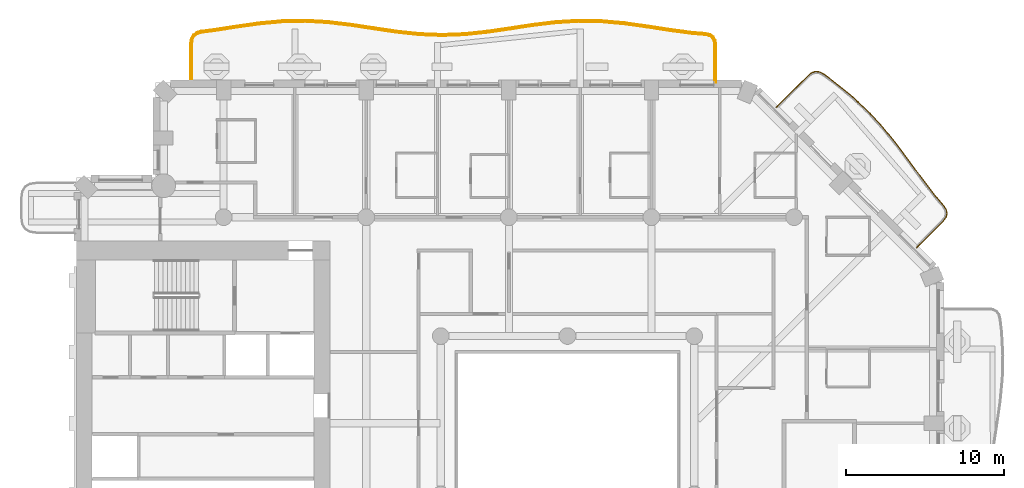
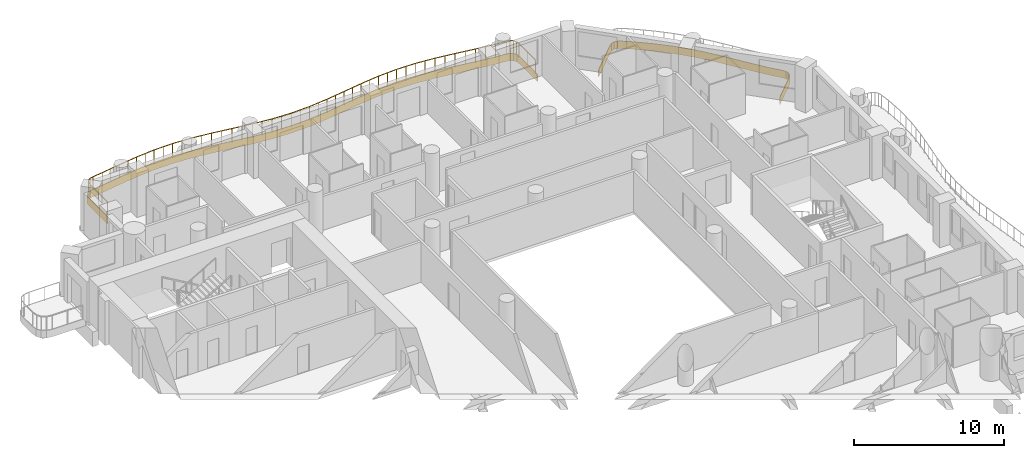
# One storey, part 18 of 20: 2 coverings, 1 railing.
"""IFC4 building model written with IfcOpenShell, lengths in metres."""

from ifc_helpers import new_model, si_unit, direction, frame, origin, origin_2d, place, context, subcontext, project, spatial, polyline, rectangle, outline, extrude, material, layer, layer_set, type_object, element, save


model = new_model("IFC4")

# Units and contexts
model_context = context("Model", 3, precision=1e-05, world=origin(), true_north=direction((0.0, 1.0)))
body_context = subcontext(model_context, "Body", "Model", "MODEL_VIEW")
ifc_project = project(units=[si_unit("LENGTHUNIT", "METRE"), si_unit("AREAUNIT", "SQUARE_METRE"), si_unit("VOLUMEUNIT", "CUBIC_METRE"), si_unit("PLANEANGLEUNIT", "RADIAN"), si_unit("MASSUNIT", "GRAM", prefix="KILO")], contexts=[model_context])

# Site, building, storey
site_placement = place(None, origin())
site = spatial("IfcSite", under=ifc_project, at=site_placement, CompositionType="ELEMENT")
building_placement = place(site_placement, origin())
building = spatial("IfcBuilding", under=site, at=building_placement, Name="Cypress Arch Tower", CompositionType="ELEMENT")
storey_placement = place(building_placement, frame((0.0, 0.0, 109.5)))
storey = spatial("IfcBuildingStorey", under=building, at=storey_placement, Name="L22", CompositionType="ELEMENT", Elevation=109.5)

# Coverings
ifc_material_1 = material(Name="White powder-coated aluminium fascia", Category="aluminium")
ifc_layer = layer(ifc_material_1, 0.050048828125)
ifc_layer_set = layer_set([ifc_layer], Name="Balcony fascia BF50")
covering_type = type_object("IfcCoveringType", Name="Balcony fascia BF50", PredefinedType="CLADDING", material=ifc_layer_set)
covering_1_placement = place(storey_placement, frame((0.0, 0.0, -0.60009765625)))
element("IfcCovering", 1, at=covering_1_placement, inside=storey, type_object=covering_type, Name="Balcony fascia L22-A07", PredefinedType="CLADDING", context=body_context, shape_type="SweptSolid", body=[
    extrude(outline(polyline([(16.182861328125, 26.4716796875), (16.419677734375, 26.650634765625), (16.6728515625, 26.72509765625), (16.93408203125, 26.688232421875), (17.194091796875, 26.54541015625), (17.815673828125, 26.0830078125), (18.901123046875, 25.205078125), (19.92333984375, 24.2626953125), (20.872314453125, 23.247314453125), (21.755126953125, 22.166748046875), (22.594482421875, 21.044677734375), (23.42236328125, 19.91357421875), (24.273681640625, 18.80810546875), (24.773681640625, 18.22705078125), (24.931396484375, 17.98095703125), (24.97998046875, 17.729248046875), (24.91259765625, 17.481689453125), (24.73681640625, 17.248046875), (23.045166015625, 15.556396484375), (23.009765625, 15.591796875), (24.698974609375, 17.281005859375), (24.866943359375, 17.504150390625), (24.9287109375, 17.731201171875), (24.884033203125, 17.962158203125), (24.7333984375, 18.197265625), (24.23486328125, 18.7763671875), (23.38232421875, 19.883544921875), (22.55419921875, 21.014892578125), (21.7158203125, 22.135986328125), (20.83447265625, 23.21435546875), (19.887939453125, 24.227294921875), (18.868408203125, 25.167236328125), (17.784912109375, 26.04345703125), (17.1669921875, 26.503173828125), (16.91796875, 26.64013671875), (16.676513671875, 26.674072265625), (16.4423828125, 26.605224609375), (16.2158203125, 26.433837890625), (14.191650390625, 24.40966796875), (14.15625, 24.445068359375), (16.182861328125, 26.4716796875)])), origin(), (0.0, 0.0, 1.0), 0.60009765625),
])
covering_2_placement = place(storey_placement, frame((0.0, 0.0, -0.60009765625)))
element("IfcCovering", 2, at=covering_2_placement, inside=storey, type_object=covering_type, Name="Balcony fascia L22-A08", PredefinedType="CLADDING", context=body_context, shape_type="SweptSolid", body=[
    extrude(outline(polyline([(-22.800048828125, 28.47119140625), (-22.7578125, 28.77490234375), (-22.62646484375, 29.012451171875), (-22.407958984375, 29.173583984375), (-22.1123046875, 29.2548828125), (-21.31787109375, 29.35888671875), (-19.879150390625, 29.58203125), (-18.4384765625, 29.784912109375), (-16.996337890625, 29.91748046875), (-15.553466796875, 29.94677734375), (-14.11083984375, 29.865234375), (-12.66943359375, 29.693359375), (-11.2294921875, 29.473876953125), (-9.79150390625, 29.2607421875), (-8.35498046875, 29.10693359375), (-6.91943359375, 29.050048828125), (-5.48388671875, 29.10400390625), (-4.047607421875, 29.255615234375), (-2.609619140625, 29.4677734375), (-1.169921875, 29.687744140625), (0.271728515625, 29.861572265625), (1.714111328125, 29.946044921875), (3.156982421875, 29.919921875), (4.59912109375, 29.789794921875), (6.039794921875, 29.587890625), (7.478759765625, 29.36474609375), (8.916015625, 29.1748046875), (9.709716796875, 29.1142578125), (10.005859375, 29.04931640625), (10.225830078125, 28.900146484375), (10.357666015625, 28.669677734375), (10.39990234375, 28.369384765625), (10.39990234375, 26.0009765625), (10.35009765625, 26.0009765625), (10.35009765625, 28.36572265625), (10.3095703125, 28.653076171875), (10.18798828125, 28.865234375), (9.98583984375, 29.00244140625), (9.702392578125, 29.064697265625), (8.910888671875, 29.125), (7.4716796875, 29.315185546875), (6.03271484375, 29.53857421875), (4.593505859375, 29.739990234375), (3.154296875, 29.869873046875), (1.71533203125, 29.89599609375), (0.276123046875, 29.811767578125), (-1.1630859375, 29.638427734375), (-2.602294921875, 29.418212890625), (-4.041259765625, 29.2060546875), (-5.48046875, 29.05419921875), (-6.919677734375, 29.0), (-8.358642578125, 29.05712890625), (-9.7978515625, 29.211181640625), (-11.237060546875, 29.42431640625), (-12.676025390625, 29.643798828125), (-14.115234375, 29.8154296875), (-15.554443359375, 29.896728515625), (-16.993408203125, 29.86767578125), (-18.4326171875, 29.7353515625), (-19.871826171875, 29.532470703125), (-21.310791015625, 29.309326171875), (-22.102294921875, 29.20556640625), (-22.3857421875, 29.127685546875), (-22.588134765625, 28.978759765625), (-22.70947265625, 28.7587890625), (-22.75, 28.4677734375), (-22.75, 26.0009765625), (-22.800048828125, 26.0009765625), (-22.800048828125, 28.47119140625)])), origin(), (0.0, 0.0, 1.0), 0.60009765625),
])

# Railing
ifc_material_2 = material(Name="Powder-coated steel posts and rods, 100 mm clear between rods", Category="steel")
railing_type = type_object("IfcRailingType", Name="Balcony guard GR1100", PredefinedType="GUARDRAIL", material=ifc_material_2)
railing_placement = place(storey_placement, frame((-22.699951171875, 26.14990234375, 0.0)))
element("IfcRailing", 3, at=railing_placement, inside=storey, type_object=railing_type, Name="Balcony guard L22-A08", PredefinedType="GUARDRAIL", context=body_context, shape_type="SweptSolid", body=[
    extrude(rectangle(XDim=0.050048828125, YDim=0.050048828125, at=origin_2d()), frame((0.0, 0.0, 1.0751953125), z_axis=(0.0, 1.0, 0.0), x_axis=(-1.0, 0.0, 0.0)), (0.0, 0.0, 1.0), 2.314453125),
    extrude(rectangle(XDim=0.050048828125, YDim=0.050048828125, at=origin_2d()), frame((0.0, 2.314453125, 1.0751953125), z_axis=(0.137284217711, 0.990531697407, 0.0), x_axis=(-0.990531697407, 0.137284217711, 0.0)), (0.0, 0.0, 1.0), 0.281005859375),
    extrude(rectangle(XDim=0.050048828125, YDim=0.050048828125, at=origin_2d()), frame((0.03857421875, 2.5927734375, 1.0751953125), z_axis=(0.483579682831, 0.875300342941, 0.0), x_axis=(-0.875300342941, 0.483579682831, 0.0)), (0.0, 0.0, 1.0), 0.231201171875),
    extrude(rectangle(XDim=0.050048828125, YDim=0.050048828125, at=origin_2d()), frame((0.150390625, 2.795166015625, 1.0751953125), z_axis=(0.805294836588, 0.592874545047, 0.0), x_axis=(-0.592874545047, 0.805294836588, 0.0)), (0.0, 0.0, 1.0), 0.23095703125),
    extrude(rectangle(XDim=0.050048828125, YDim=0.050048828125, at=origin_2d()), frame((0.33642578125, 2.93212890625, 1.0751953125), z_axis=(0.964260896002, 0.264954570523, 0.0), x_axis=(-0.264954570523, 0.964260896002, 0.0)), (0.0, 0.0, 1.0), 0.281005859375),
    extrude(rectangle(XDim=0.050048828125, YDim=0.050048828125, at=origin_2d()), frame((0.607421875, 3.006591796875, 1.0751953125), z_axis=(0.991538693958, 0.129811472468, 0.0), x_axis=(-0.129811472468, 0.991538693958, 0.0)), (0.0, 0.0, 1.0), 0.795654296875),
    extrude(rectangle(XDim=0.050048828125, YDim=0.050048828125, at=origin_2d()), frame((1.396240234375, 3.10986328125, 1.0751953125), z_axis=(0.988167333574, 0.153379662463, 0.0), x_axis=(-0.153379662463, 0.988167333574, 0.0)), (0.0, 0.0, 1.0), 1.45654296875),
    extrude(rectangle(XDim=0.050048828125, YDim=0.050048828125, at=origin_2d()), frame((2.83544921875, 3.333251953125, 1.0751953125), z_axis=(0.990236641872, 0.139396531858, 0.0), x_axis=(-0.139396531858, 0.990236641872, 0.0)), (0.0, 0.0, 1.0), 1.451904296875),
    extrude(rectangle(XDim=0.050048828125, YDim=0.050048828125, at=origin_2d()), frame((4.273193359375, 3.53564453125, 1.0751953125), z_axis=(0.995796900354, 0.091588936262, 0.0), x_axis=(-0.091588936262, 0.995796900354, 0.0)), (0.0, 0.0, 1.0), 1.442138671875),
    extrude(rectangle(XDim=0.050048828125, YDim=0.050048828125, at=origin_2d()), frame((5.709228515625, 3.667724609375, 1.0751953125), z_axis=(0.999795272638, 0.020233951946, 0.0), x_axis=(-0.020233951946, 0.999795272638, 0.0)), (0.0, 0.0, 1.0), 1.435791015625),
    extrude(rectangle(XDim=0.050048828125, YDim=0.050048828125, at=origin_2d()), frame((7.144775390625, 3.69677734375, 1.0751953125), z_axis=(0.998409789459, -0.056372797636, 0.0), x_axis=(0.056372797636, 0.998409789459, 0.0)), (0.0, 0.0, 1.0), 1.437744140625),
    extrude(rectangle(XDim=0.050048828125, YDim=0.050048828125, at=origin_2d()), frame((8.580322265625, 3.61572265625, 1.0751953125), z_axis=(0.992960424128, -0.118446596047, 0.0), x_axis=(0.118446596047, 0.992960424128, 0.0)), (0.0, 0.0, 1.0), 1.447021484375),
    extrude(rectangle(XDim=0.050048828125, YDim=0.050048828125, at=origin_2d()), frame((10.01708984375, 3.4443359375, 1.0751953125), z_axis=(0.98858409171, -0.150670148397, 0.0), x_axis=(0.150670148397, 0.98858409171, 0.0)), (0.0, 0.0, 1.0), 1.455078125),
    extrude(rectangle(XDim=0.050048828125, YDim=0.050048828125, at=origin_2d()), frame((11.45556640625, 3.22509765625, 1.0751953125), z_axis=(0.989201661584, -0.14656081577, 0.0), x_axis=(0.14656081577, 0.989201661584, 0.0)), (0.0, 0.0, 1.0), 1.455810546875),
    extrude(rectangle(XDim=0.050048828125, YDim=0.050048828125, at=origin_2d()), frame((12.895751953125, 3.01171875, 1.0751953125), z_axis=(0.994305331852, -0.106568790224, 0.0), x_axis=(0.106568790224, 0.994305331852, 0.0)), (0.0, 0.0, 1.0), 1.4501953125),
    extrude(rectangle(XDim=0.050048828125, YDim=0.050048828125, at=origin_2d()), frame((14.337646484375, 2.857177734375, 1.0751953125), z_axis=(0.999216816899, -0.039569594712, 0.0), x_axis=(0.039569594712, 0.999216816899, 0.0)), (0.0, 0.0, 1.0), 1.44384765625),
    extrude(rectangle(XDim=0.050048828125, YDim=0.050048828125, at=origin_2d()), frame((15.7802734375, 2.800048828125, 1.0751953125), z_axis=(0.999295239278, 0.037536978531, 0.0), x_axis=(-0.037536978531, 0.999295239278, 0.0)), (0.0, 0.0, 1.0), 1.44384765625),
    extrude(rectangle(XDim=0.050048828125, YDim=0.050048828125, at=origin_2d()), frame((17.22314453125, 2.854248046875, 1.0751953125), z_axis=(0.994464781906, 0.105070440892, 0.0), x_axis=(-0.105070440892, 0.994464781906, 0.0)), (0.0, 0.0, 1.0), 1.449951171875),
    extrude(rectangle(XDim=0.050048828125, YDim=0.050048828125, at=origin_2d()), frame((18.6650390625, 3.006591796875, 1.0751953125), z_axis=(0.989298698748, 0.145904368183, 0.0), x_axis=(-0.145904368183, 0.989298698748, 0.0)), (0.0, 0.0, 1.0), 1.455810546875),
    extrude(rectangle(XDim=0.050048828125, YDim=0.050048828125, at=origin_2d()), frame((20.105224609375, 3.218994140625, 1.0751953125), z_axis=(0.988509000636, 0.151162017918, 0.0), x_axis=(-0.151162017918, 0.988509000636, 0.0)), (0.0, 0.0, 1.0), 1.455078125),
    extrude(rectangle(XDim=0.050048828125, YDim=0.050048828125, at=origin_2d()), frame((21.543701171875, 3.43896484375, 1.0751953125), z_axis=(0.992820849537, 0.119610872102, 0.0), x_axis=(-0.119610872102, 0.992820849537, 0.0)), (0.0, 0.0, 1.0), 1.447265625),
    extrude(rectangle(XDim=0.050048828125, YDim=0.050048828125, at=origin_2d()), frame((22.98046875, 3.612060546875, 1.0751953125), z_axis=(0.998293635427, 0.058393642338, 0.0), x_axis=(-0.058393642338, 0.998293635427, 0.0)), (0.0, 0.0, 1.0), 1.438232421875),
    extrude(rectangle(XDim=0.050048828125, YDim=0.050048828125, at=origin_2d()), frame((24.416259765625, 3.696044921875, 1.0751953125), z_axis=(0.999834414326, -0.018197360492, 0.0), x_axis=(0.018197360492, 0.999834414326, 0.0)), (0.0, 0.0, 1.0), 1.435546875),
    extrude(rectangle(XDim=0.050048828125, YDim=0.050048828125, at=origin_2d()), frame((25.8515625, 3.669921875, 1.0751953125), z_axis=(0.995965061024, -0.089741836508, 0.0), x_axis=(0.089741836508, 0.995965061024, 0.0)), (0.0, 0.0, 1.0), 1.44189453125),
    extrude(rectangle(XDim=0.050048828125, YDim=0.050048828125, at=origin_2d()), frame((27.28759765625, 3.54052734375, 1.0751953125), z_axis=(0.990329273715, -0.138736907933, 0.0), x_axis=(0.138736907933, 0.990329273715, 0.0)), (0.0, 0.0, 1.0), 1.451904296875),
    extrude(rectangle(XDim=0.050048828125, YDim=0.050048828125, at=origin_2d()), frame((28.725341796875, 3.339111328125, 1.0751953125), z_axis=(0.988167333574, -0.153379662463, 0.0), x_axis=(0.153379662463, 0.988167333574, 0.0)), (0.0, 0.0, 1.0), 1.45654296875),
    extrude(rectangle(XDim=0.050048828125, YDim=0.050048828125, at=origin_2d()), frame((30.16455078125, 3.11572265625, 1.0751953125), z_axis=(0.991404490392, -0.130832474677, 0.0), x_axis=(0.130832474677, 0.991404490392, 0.0)), (0.0, 0.0, 1.0), 1.45361328125),
    extrude(rectangle(XDim=0.050048828125, YDim=0.050048828125, at=origin_2d()), frame((31.605712890625, 2.925537109375, 1.0751953125), z_axis=(0.997094262569, -0.076177631567, 0.0), x_axis=(0.076177631567, 0.997094262569, 0.0)), (0.0, 0.0, 1.0), 0.79150390625),
    extrude(rectangle(XDim=0.050048828125, YDim=0.050048828125, at=origin_2d()), frame((32.39501953125, 2.865234375, 1.0751953125), z_axis=(0.976784852147, -0.214222670642, 0.0), x_axis=(0.214222670642, 0.976784852147, 0.0)), (0.0, 0.0, 1.0), 0.27685546875),
    extrude(rectangle(XDim=0.050048828125, YDim=0.050048828125, at=origin_2d()), frame((32.66552734375, 2.805908203125, 1.0751953125), z_axis=(0.827312522827, -0.56174192435, 0.0), x_axis=(0.56174192435, 0.827312522827, 0.0)), (0.0, 0.0, 1.0), 0.223388671875),
    extrude(rectangle(XDim=0.050048828125, YDim=0.050048828125, at=origin_2d()), frame((32.850341796875, 2.680419921875, 1.0751953125), z_axis=(0.497197688562, -0.867637285096, 0.0), x_axis=(0.867637285096, 0.497197688562, 0.0)), (0.0, 0.0, 1.0), 0.223388671875),
    extrude(rectangle(XDim=0.050048828125, YDim=0.050048828125, at=origin_2d()), frame((32.96142578125, 2.486572265625, 1.0751953125), z_axis=(0.139322384802, -0.990247076791, 0.0), x_axis=(0.990247076791, 0.139322384802, 0.0)), (0.0, 0.0, 1.0), 0.27685546875),
    extrude(rectangle(XDim=0.050048828125, YDim=0.050048828125, at=origin_2d()), frame((33.0, 2.21240234375, 1.0751953125), z_axis=(0.0, -1.0, 0.0), x_axis=(1.0, 0.0, 0.0)), (0.0, 0.0, 1.0), 2.21240234375),
    extrude(rectangle(XDim=0.0400390625, YDim=0.0400390625, at=origin_2d()), origin(), (0.0, 0.0, 1.0), 1.050048828125),
    extrude(rectangle(XDim=0.0400390625, YDim=0.0400390625, at=origin_2d()), frame((0.0, 1.1572265625, 0.0)), (0.0, 0.0, 1.0), 1.050048828125),
    extrude(rectangle(XDim=0.0400390625, YDim=0.0400390625, at=origin_2d()), frame((0.0, 2.314453125, 0.0)), (0.0, 0.0, 1.0), 1.050048828125),
    extrude(rectangle(XDim=0.0400390625, YDim=0.0400390625, at=origin_2d()), frame((0.03857421875, 2.5927734375, 0.0)), (0.0, 0.0, 1.0), 1.050048828125),
    extrude(rectangle(XDim=0.0400390625, YDim=0.0400390625, at=origin_2d()), frame((0.150390625, 2.795166015625, 0.0)), (0.0, 0.0, 1.0), 1.050048828125),
    extrude(rectangle(XDim=0.0400390625, YDim=0.0400390625, at=origin_2d()), frame((0.33642578125, 2.93212890625, 0.0)), (0.0, 0.0, 1.0), 1.050048828125),
    extrude(rectangle(XDim=0.0400390625, YDim=0.0400390625, at=origin_2d()), frame((0.607421875, 3.006591796875, 0.0)), (0.0, 0.0, 1.0), 1.050048828125),
    extrude(rectangle(XDim=0.0400390625, YDim=0.0400390625, at=origin_2d()), frame((1.396240234375, 3.10986328125, 0.0)), (0.0, 0.0, 1.0), 1.050048828125),
    extrude(rectangle(XDim=0.0400390625, YDim=0.0400390625, at=origin_2d()), frame((2.11572265625, 3.2216796875, 0.0)), (0.0, 0.0, 1.0), 1.050048828125),
    extrude(rectangle(XDim=0.0400390625, YDim=0.0400390625, at=origin_2d()), frame((2.83544921875, 3.333251953125, 0.0)), (0.0, 0.0, 1.0), 1.050048828125),
    extrude(rectangle(XDim=0.0400390625, YDim=0.0400390625, at=origin_2d()), frame((3.55419921875, 3.4345703125, 0.0)), (0.0, 0.0, 1.0), 1.050048828125),
    extrude(rectangle(XDim=0.0400390625, YDim=0.0400390625, at=origin_2d()), frame((4.273193359375, 3.53564453125, 0.0)), (0.0, 0.0, 1.0), 1.050048828125),
    extrude(rectangle(XDim=0.0400390625, YDim=0.0400390625, at=origin_2d()), frame((4.9912109375, 3.6015625, 0.0)), (0.0, 0.0, 1.0), 1.050048828125),
    extrude(rectangle(XDim=0.0400390625, YDim=0.0400390625, at=origin_2d()), frame((5.709228515625, 3.667724609375, 0.0)), (0.0, 0.0, 1.0), 1.050048828125),
    extrude(rectangle(XDim=0.0400390625, YDim=0.0400390625, at=origin_2d()), frame((6.427001953125, 3.68212890625, 0.0)), (0.0, 0.0, 1.0), 1.050048828125),
    extrude(rectangle(XDim=0.0400390625, YDim=0.0400390625, at=origin_2d()), frame((7.144775390625, 3.69677734375, 0.0)), (0.0, 0.0, 1.0), 1.050048828125),
    extrude(rectangle(XDim=0.0400390625, YDim=0.0400390625, at=origin_2d()), frame((7.862548828125, 3.65625, 0.0)), (0.0, 0.0, 1.0), 1.050048828125),
    extrude(rectangle(XDim=0.0400390625, YDim=0.0400390625, at=origin_2d()), frame((8.580322265625, 3.61572265625, 0.0)), (0.0, 0.0, 1.0), 1.050048828125),
    extrude(rectangle(XDim=0.0400390625, YDim=0.0400390625, at=origin_2d()), frame((9.298828125, 3.530029296875, 0.0)), (0.0, 0.0, 1.0), 1.050048828125),
    extrude(rectangle(XDim=0.0400390625, YDim=0.0400390625, at=origin_2d()), frame((10.01708984375, 3.4443359375, 0.0)), (0.0, 0.0, 1.0), 1.050048828125),
    extrude(rectangle(XDim=0.0400390625, YDim=0.0400390625, at=origin_2d()), frame((10.736328125, 3.334716796875, 0.0)), (0.0, 0.0, 1.0), 1.050048828125),
    extrude(rectangle(XDim=0.0400390625, YDim=0.0400390625, at=origin_2d()), frame((11.45556640625, 3.22509765625, 0.0)), (0.0, 0.0, 1.0), 1.050048828125),
    extrude(rectangle(XDim=0.0400390625, YDim=0.0400390625, at=origin_2d()), frame((12.17578125, 3.118408203125, 0.0)), (0.0, 0.0, 1.0), 1.050048828125),
    extrude(rectangle(XDim=0.0400390625, YDim=0.0400390625, at=origin_2d()), frame((12.895751953125, 3.01171875, 0.0)), (0.0, 0.0, 1.0), 1.050048828125),
    extrude(rectangle(XDim=0.0400390625, YDim=0.0400390625, at=origin_2d()), frame((13.61669921875, 2.9345703125, 0.0)), (0.0, 0.0, 1.0), 1.050048828125),
    extrude(rectangle(XDim=0.0400390625, YDim=0.0400390625, at=origin_2d()), frame((14.337646484375, 2.857177734375, 0.0)), (0.0, 0.0, 1.0), 1.050048828125),
    extrude(rectangle(XDim=0.0400390625, YDim=0.0400390625, at=origin_2d()), frame((15.05908203125, 2.82861328125, 0.0)), (0.0, 0.0, 1.0), 1.050048828125),
    extrude(rectangle(XDim=0.0400390625, YDim=0.0400390625, at=origin_2d()), frame((15.7802734375, 2.800048828125, 0.0)), (0.0, 0.0, 1.0), 1.050048828125),
    extrude(rectangle(XDim=0.0400390625, YDim=0.0400390625, at=origin_2d()), frame((16.501708984375, 2.8271484375, 0.0)), (0.0, 0.0, 1.0), 1.050048828125),
    extrude(rectangle(XDim=0.0400390625, YDim=0.0400390625, at=origin_2d()), frame((17.22314453125, 2.854248046875, 0.0)), (0.0, 0.0, 1.0), 1.050048828125),
    extrude(rectangle(XDim=0.0400390625, YDim=0.0400390625, at=origin_2d()), frame((17.944091796875, 2.930419921875, 0.0)), (0.0, 0.0, 1.0), 1.050048828125),
    extrude(rectangle(XDim=0.0400390625, YDim=0.0400390625, at=origin_2d()), frame((18.6650390625, 3.006591796875, 0.0)), (0.0, 0.0, 1.0), 1.050048828125),
    extrude(rectangle(XDim=0.0400390625, YDim=0.0400390625, at=origin_2d()), frame((19.38525390625, 3.11279296875, 0.0)), (0.0, 0.0, 1.0), 1.050048828125),
    extrude(rectangle(XDim=0.0400390625, YDim=0.0400390625, at=origin_2d()), frame((20.105224609375, 3.218994140625, 0.0)), (0.0, 0.0, 1.0), 1.050048828125),
    extrude(rectangle(XDim=0.0400390625, YDim=0.0400390625, at=origin_2d()), frame((20.824462890625, 3.3291015625, 0.0)), (0.0, 0.0, 1.0), 1.050048828125),
    extrude(rectangle(XDim=0.0400390625, YDim=0.0400390625, at=origin_2d()), frame((21.543701171875, 3.43896484375, 0.0)), (0.0, 0.0, 1.0), 1.050048828125),
    extrude(rectangle(XDim=0.0400390625, YDim=0.0400390625, at=origin_2d()), frame((22.26220703125, 3.525390625, 0.0)), (0.0, 0.0, 1.0), 1.050048828125),
    extrude(rectangle(XDim=0.0400390625, YDim=0.0400390625, at=origin_2d()), frame((22.98046875, 3.612060546875, 0.0)), (0.0, 0.0, 1.0), 1.050048828125),
    extrude(rectangle(XDim=0.0400390625, YDim=0.0400390625, at=origin_2d()), frame((23.6982421875, 3.654052734375, 0.0)), (0.0, 0.0, 1.0), 1.050048828125),
    extrude(rectangle(XDim=0.0400390625, YDim=0.0400390625, at=origin_2d()), frame((24.416259765625, 3.696044921875, 0.0)), (0.0, 0.0, 1.0), 1.050048828125),
    extrude(rectangle(XDim=0.0400390625, YDim=0.0400390625, at=origin_2d()), frame((25.1337890625, 3.68310546875, 0.0)), (0.0, 0.0, 1.0), 1.050048828125),
    extrude(rectangle(XDim=0.0400390625, YDim=0.0400390625, at=origin_2d()), frame((25.8515625, 3.669921875, 0.0)), (0.0, 0.0, 1.0), 1.050048828125),
    extrude(rectangle(XDim=0.0400390625, YDim=0.0400390625, at=origin_2d()), frame((26.569580078125, 3.605224609375, 0.0)), (0.0, 0.0, 1.0), 1.050048828125),
    extrude(rectangle(XDim=0.0400390625, YDim=0.0400390625, at=origin_2d()), frame((27.28759765625, 3.54052734375, 0.0)), (0.0, 0.0, 1.0), 1.050048828125),
    extrude(rectangle(XDim=0.0400390625, YDim=0.0400390625, at=origin_2d()), frame((28.00634765625, 3.43994140625, 0.0)), (0.0, 0.0, 1.0), 1.050048828125),
    extrude(rectangle(XDim=0.0400390625, YDim=0.0400390625, at=origin_2d()), frame((28.725341796875, 3.339111328125, 0.0)), (0.0, 0.0, 1.0), 1.050048828125),
    extrude(rectangle(XDim=0.0400390625, YDim=0.0400390625, at=origin_2d()), frame((29.44482421875, 3.2275390625, 0.0)), (0.0, 0.0, 1.0), 1.050048828125),
    extrude(rectangle(XDim=0.0400390625, YDim=0.0400390625, at=origin_2d()), frame((30.16455078125, 3.11572265625, 0.0)), (0.0, 0.0, 1.0), 1.050048828125),
    extrude(rectangle(XDim=0.0400390625, YDim=0.0400390625, at=origin_2d()), frame((30.88525390625, 3.0205078125, 0.0)), (0.0, 0.0, 1.0), 1.050048828125),
    extrude(rectangle(XDim=0.0400390625, YDim=0.0400390625, at=origin_2d()), frame((31.605712890625, 2.925537109375, 0.0)), (0.0, 0.0, 1.0), 1.050048828125),
    extrude(rectangle(XDim=0.0400390625, YDim=0.0400390625, at=origin_2d()), frame((32.39501953125, 2.865234375, 0.0)), (0.0, 0.0, 1.0), 1.050048828125),
    extrude(rectangle(XDim=0.0400390625, YDim=0.0400390625, at=origin_2d()), frame((32.66552734375, 2.805908203125, 0.0)), (0.0, 0.0, 1.0), 1.050048828125),
    extrude(rectangle(XDim=0.0400390625, YDim=0.0400390625, at=origin_2d()), frame((32.850341796875, 2.680419921875, 0.0)), (0.0, 0.0, 1.0), 1.050048828125),
    extrude(rectangle(XDim=0.0400390625, YDim=0.0400390625, at=origin_2d()), frame((32.96142578125, 2.486572265625, 0.0)), (0.0, 0.0, 1.0), 1.050048828125),
    extrude(rectangle(XDim=0.0400390625, YDim=0.0400390625, at=origin_2d()), frame((33.0, 2.21240234375, 0.0)), (0.0, 0.0, 1.0), 1.050048828125),
    extrude(rectangle(XDim=0.0400390625, YDim=0.0400390625, at=origin_2d()), frame((33.0, 1.106201171875, 0.0)), (0.0, 0.0, 1.0), 1.050048828125),
    extrude(rectangle(XDim=0.0400390625, YDim=0.0400390625, at=origin_2d()), frame((33.0, 0.0, 0.0)), (0.0, 0.0, 1.0), 1.050048828125),
])

save(model, "model.ifc")
